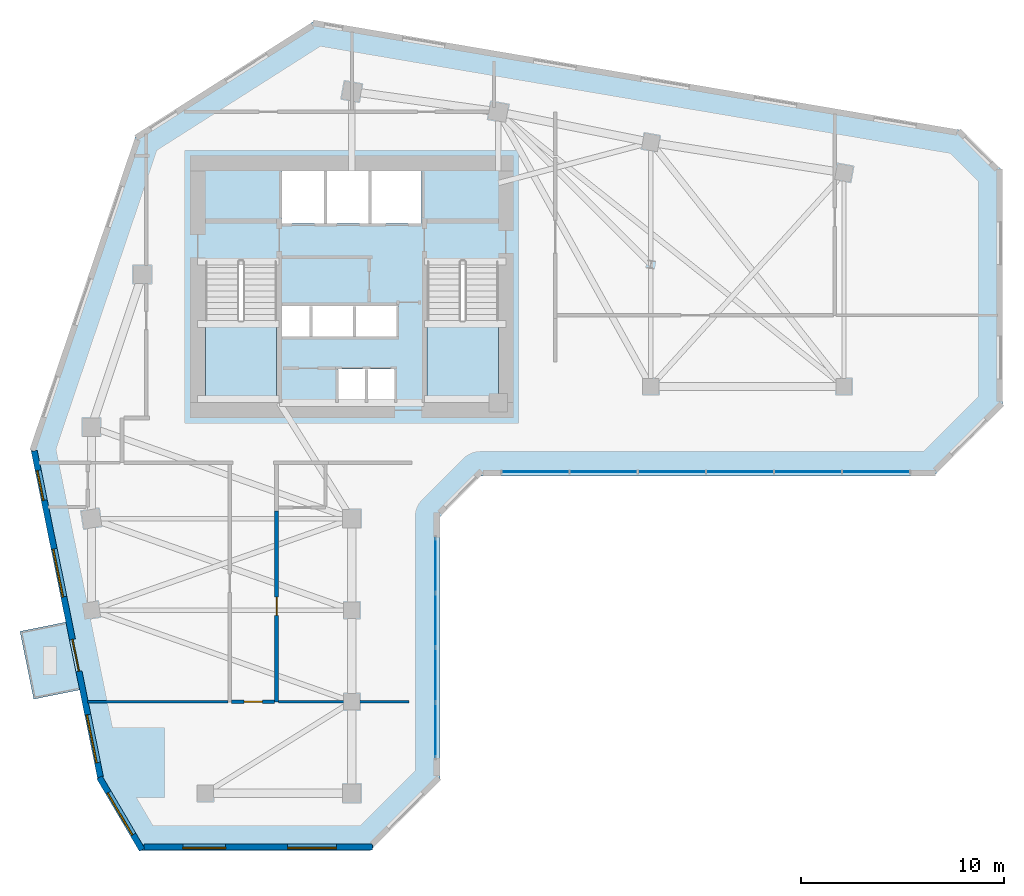
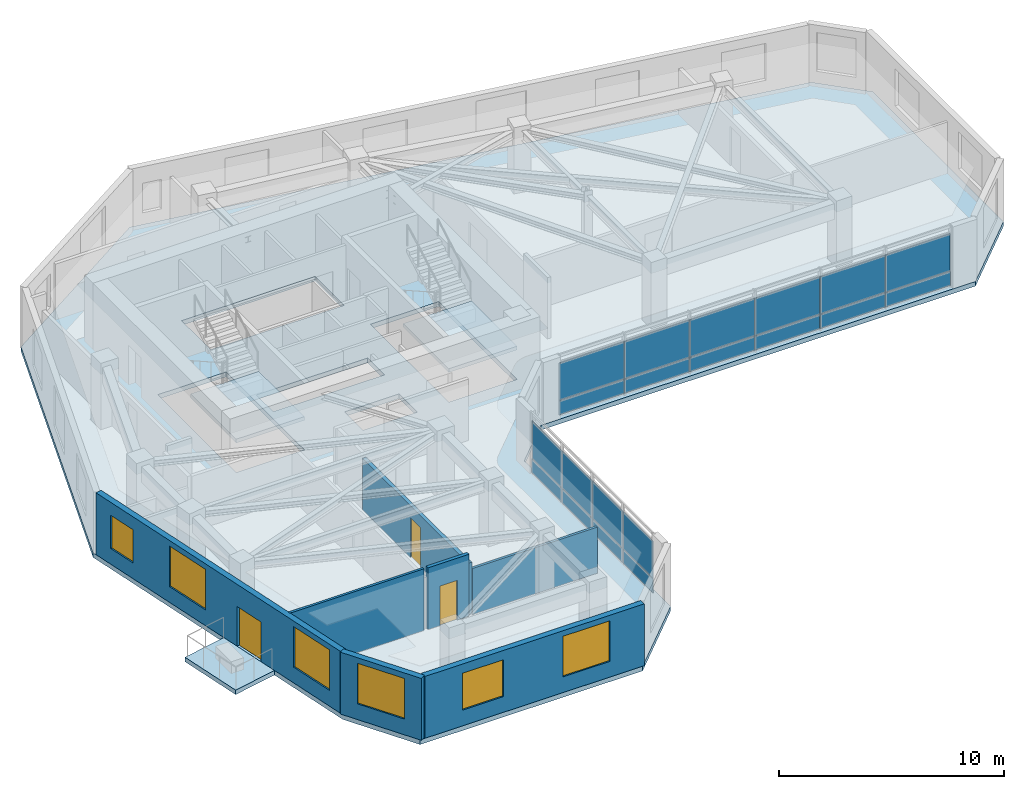
# One storey, part 4 of 10: 20 plates, 7 walls, 6 windows, 4 slabs, 3 doors, 9 openings, 4 elements without a shape of their own.
"""IFC4 building model written with IfcOpenShell, lengths in metres."""

import ifcopenshell
import ifcopenshell.guid

model = None  # the IFC model being written
_history = None  # IfcOwnerHistory: only IFC2X3 demands one
_inside = {}  # id of a spatial element -> (the spatial element, [elements in it])
_under = {}  # id of a project, library or spatial element -> (it, [spatial elements below it])
_declared = {}  # id of a project -> (the project, [libraries it declares])
_typed = {}  # id of a type object -> (the type object, [elements of that type])
_made_of = {}  # id of a material, layer set ... -> (it, [elements and type objects made of it])


def new_model(schema):
    """Start an empty IFC model of exactly this schema.

    Asked for "IFC4X3", IfcOpenShell would pick the latest addendum, in which some entities
    have other attributes; the version numbers below select the first issue.
    IFC2X3 requires an IfcOwnerHistory on every rooted entity: one is made here for all.
    """
    global model, _history
    if schema == "IFC4X3":
        model = ifcopenshell.file(schema_version=(4, 3, 0, 0))
    else:
        model = ifcopenshell.file(schema=schema)
    _inside.clear()
    _under.clear()
    _declared.clear()
    _typed.clear()
    _made_of.clear()
    _history = None
    if model.schema == "IFC2X3":
        org = make("IfcOrganization", Name="unknown")
        user = make(
            "IfcPersonAndOrganization",
            ThePerson=make("IfcPerson", FamilyName="unknown"),
            TheOrganization=org,
        )
        app = make(
            "IfcApplication",
            ApplicationDeveloper=org,
            Version="unknown",
            ApplicationFullName="unknown",
            ApplicationIdentifier="unknown",
        )
        _history = make(
            "IfcOwnerHistory",
            OwningUser=user,
            OwningApplication=app,
            ChangeAction="ADDED",
            CreationDate=0,
        )
    return model


def make(cls, **values):
    """One entity of the class cls with the attributes given. An attribute that is None is left unset."""
    return model.create_entity(
        cls, **{name: value for name, value in values.items() if value is not None}
    )


def rooted(cls, **values):
    """An entity with a GlobalId (a new one), such as an element, a storey or a relation."""
    return make(cls, GlobalId=ifcopenshell.guid.new(), OwnerHistory=_history, **values)


def si_unit(unit_type, name, prefix=None):
    """IfcSIUnit, for example si_unit("LENGTHUNIT", "METRE", prefix="MILLI")."""
    return make("IfcSIUnit", UnitType=unit_type, Prefix=prefix, Name=name)


def assignment(units):
    """IfcUnitAssignment: the units of a project."""
    return None if units is None else make("IfcUnitAssignment", Units=units)


def point(xyz):
    """IfcCartesianPoint."""
    return None if xyz is None else make("IfcCartesianPoint", Coordinates=xyz)


def direction(xyz):
    """IfcDirection."""
    return None if xyz is None else make("IfcDirection", DirectionRatios=xyz)


def frame(location, z_axis=None, x_axis=None):
    """IfcAxis2Placement3D, a coordinate frame: its origin and axes. An axis left out is left unset."""
    return make(
        "IfcAxis2Placement3D",
        Location=point(location),
        Axis=direction(z_axis),
        RefDirection=direction(x_axis),
    )


def frame_2d(location, x_axis=None):
    """IfcAxis2Placement2D, a coordinate frame in the plane: its origin and x axis."""
    return make(
        "IfcAxis2Placement2D", Location=point(location), RefDirection=direction(x_axis)
    )


def origin():
    """The frame at (0, 0, 0) with its axes left unset."""
    return frame((0.0, 0.0, 0.0))


def place(relative_to, where):
    """IfcLocalPlacement: puts the frame where relative to a parent placement (None: the world)."""
    return make(
        "IfcLocalPlacement", PlacementRelTo=relative_to, RelativePlacement=where
    )


def context(
    kind, dimensions, precision=None, world=None, true_north=None, identifier=None
):
    """IfcGeometricRepresentationContext, for example the 3D "Model" context."""
    return make(
        "IfcGeometricRepresentationContext",
        ContextIdentifier=identifier,
        ContextType=kind,
        CoordinateSpaceDimension=dimensions,
        Precision=precision,
        WorldCoordinateSystem=world,
        TrueNorth=true_north,
    )


def subcontext(parent, identifier, kind, view, scale=None):
    """IfcGeometricRepresentationSubContext, for example "Body" below "Model"."""
    return make(
        "IfcGeometricRepresentationSubContext",
        ContextIdentifier=identifier,
        ContextType=kind,
        ParentContext=parent,
        TargetScale=scale,
        TargetView=view,
    )


def project(units=None, contexts=None):
    """IfcProject with its units and contexts."""
    return rooted(
        "IfcProject",
        Name="project",
        RepresentationContexts=contexts,
        UnitsInContext=assignment(units),
    )


def spatial(cls, under=None, at=None, **own):
    """A site, building, storey or space (cls), placed at a placement, below another one or the project."""
    s = rooted(cls, ObjectPlacement=at, **own)
    if under is not None:
        _under.setdefault(under.id(), (under, []))[1].append(s)
    return s


def polyline(points):
    """IfcPolyline through the points."""
    return make("IfcPolyline", Points=[point(p) for p in points])


def profile(cls, at=None, kind="AREA", **sizes):
    """A parametric profile (cls). Its sizes go by their IFC names, for example OverallWidth=200.0."""
    return make(cls, ProfileType=kind, Position=at, **sizes)


def rectangle(**sizes):
    """IfcRectangleProfileDef."""
    return profile("IfcRectangleProfileDef", **sizes)


def outline(outer, holes=None, kind="AREA"):
    """IfcArbitraryClosedProfileDef: a profile drawn as a closed curve; with holes, ...WithVoids."""
    if holes is None:
        return make("IfcArbitraryClosedProfileDef", ProfileType=kind, OuterCurve=outer)
    return make(
        "IfcArbitraryProfileDefWithVoids",
        ProfileType=kind,
        OuterCurve=outer,
        InnerCurves=holes,
    )


def extrude(swept, where, along, depth):
    """IfcExtrudedAreaSolid: the profile swept, set in the frame where, extruded along a direction by depth."""
    return make(
        "IfcExtrudedAreaSolid",
        SweptArea=swept,
        Position=where,
        ExtrudedDirection=direction(along),
        Depth=depth,
    )


def shape(context_of_items, identifier, shape_type, items):
    """IfcShapeRepresentation: the items that make up one representation, for example the "Body"."""
    return make(
        "IfcShapeRepresentation",
        ContextOfItems=context_of_items,
        RepresentationIdentifier=identifier,
        RepresentationType=shape_type,
        Items=items,
    )


def source(mapping_origin, context_of_items, identifier, shape_type, items):
    """IfcRepresentationMap: a shape defined once, which mapped items show again and again."""
    return make(
        "IfcRepresentationMap",
        MappingOrigin=mapping_origin,
        MappedRepresentation=shape(context_of_items, identifier, shape_type, items),
    )


def transform(
    local_origin,
    x_axis=None,
    y_axis=None,
    z_axis=None,
    scale=None,
    scale2=None,
    scale3=None,
    uniform=True,
):
    """IfcCartesianTransformationOperator3D, or its non-uniform kind. x_axis, y_axis, z_axis: its Axis1, 2, 3."""
    if uniform:
        return make(
            "IfcCartesianTransformationOperator3D",
            Axis1=direction(x_axis),
            Axis2=direction(y_axis),
            LocalOrigin=point(local_origin),
            Scale=scale,
            Axis3=direction(z_axis),
        )
    return make(
        "IfcCartesianTransformationOperator3DnonUniform",
        Axis1=direction(x_axis),
        Axis2=direction(y_axis),
        LocalOrigin=point(local_origin),
        Scale=scale,
        Axis3=direction(z_axis),
        Scale2=scale2,
        Scale3=scale3,
    )


def mapped(mapping_source, mapping_target):
    """IfcMappedItem: shows the shape of a source again, moved by a transform."""
    return make(
        "IfcMappedItem", MappingSource=mapping_source, MappingTarget=mapping_target
    )


def material(Name=None, Category=None):
    """IfcMaterial."""
    return make("IfcMaterial", Name=Name, Category=Category)


def layer(
    of_material, thickness, ventilated=None, Name=None, Category=None, Priority=None
):
    """IfcMaterialLayer: one layer of a wall or slab, of a material (None: an air gap)."""
    return make(
        "IfcMaterialLayer",
        Material=of_material,
        LayerThickness=thickness,
        IsVentilated=ventilated,
        Name=Name,
        Category=Category,
        Priority=Priority,
    )


def layer_set(layers, Name=None):
    """IfcMaterialLayerSet."""
    return make("IfcMaterialLayerSet", MaterialLayers=layers, LayerSetName=Name)


def made_of(thing, what):
    """Note that an element or type object is made of a material, layer set ...; save() writes the relation."""
    if what is not None:
        _made_of.setdefault(what.id(), (what, []))[1].append(thing)
    return thing


def type_object(cls, material=None, **own):
    """A type object (cls), such as IfcWallType, which elements share."""
    return made_of(rooted(cls, **own), material)


def element(
    cls,
    number,
    at=None,
    inside=None,
    cuts=None,
    type_object=None,
    material=None,
    context=None,
    identifier="Body",
    shape_type=None,
    held_by="IfcProductDefinitionShape",
    body=None,
    shapes=None,
    **own,
):
    """One element of the class cls, such as IfcWall. Its Tag is "e" and its number.

    at: its placement. inside: the storey or other place that contains it. cuts: it is an
    opening in that element (IfcRelVoidsElement). A single representation is given by context,
    identifier, shape_type and body (its items); several are given by shapes. held_by: the class
    of the entity that holds the representations. save() writes the other relations.
    """
    e = rooted(cls, Tag="e%d" % number, ObjectPlacement=at, **own)
    if body is not None:
        shapes = [shape(context, identifier, shape_type, body)]
    if shapes is not None:
        e.Representation = make(held_by, Representations=shapes)
    if inside is not None:
        _inside.setdefault(inside.id(), (inside, []))[1].append(e)
    if cuts is not None:
        rooted(
            "IfcRelVoidsElement", RelatingBuildingElement=cuts, RelatedOpeningElement=e
        )
    if type_object is not None:
        _typed.setdefault(type_object.id(), (type_object, []))[1].append(e)
    return made_of(e, material)


def fill(opening, filler):
    """IfcRelFillsElement: the door or window that sits in an opening."""
    return rooted(
        "IfcRelFillsElement",
        RelatingOpeningElement=opening,
        RelatedBuildingElement=filler,
    )


def aggregate(whole, parts):
    """IfcRelAggregates: a whole, such as a stair, and the parts it consists of."""
    return rooted("IfcRelAggregates", RelatingObject=whole, RelatedObjects=parts)


def save(model, path):
    """Write the relations noted so far, then the file.

    IfcRelAggregates (storeys below a building ...), IfcRelContainedInSpatialStructure (elements
    in a storey), IfcRelDefinesByType, IfcRelAssociatesMaterial and IfcRelDeclares: one each for
    every whole, place, type object, material and project.
    """
    for whole, parts in _under.values():
        aggregate(whole, parts)
    for where, things in _inside.values():
        rooted(
            "IfcRelContainedInSpatialStructure",
            RelatedElements=things,
            RelatingStructure=where,
        )
    for kind, things in _typed.values():
        rooted("IfcRelDefinesByType", RelatedObjects=things, RelatingType=kind)
    for what, things in _made_of.values():
        rooted("IfcRelAssociatesMaterial", RelatedObjects=things, RelatingMaterial=what)
    for by, libraries in _declared.values():
        rooted("IfcRelDeclares", RelatingContext=by, RelatedDefinitions=libraries)
    model.write(path)


model = new_model("IFC4")

# Units and contexts
model_context = context("Model", 3, precision=1e-05, world=origin(), true_north=direction((0.0, 1.0)))
body_context = subcontext(model_context, "Body", "Model", "MODEL_VIEW")
ifc_project = project(units=[si_unit("LENGTHUNIT", "METRE"), si_unit("AREAUNIT", "SQUARE_METRE"), si_unit("VOLUMEUNIT", "CUBIC_METRE"), si_unit("PLANEANGLEUNIT", "RADIAN"), si_unit("MASSUNIT", "GRAM", prefix="KILO")], contexts=[model_context])

# Site, building, storey
site_placement = place(None, origin())
site = spatial("IfcSite", under=ifc_project, at=site_placement, CompositionType="ELEMENT")
building_placement = place(site_placement, origin())
building = spatial("IfcBuilding", under=site, at=building_placement, Name="Calvemar Wedge Station Tower", CompositionType="ELEMENT")
storey_placement = place(building_placement, frame((0.0, 0.0, 164.60009765625)))
storey = spatial("IfcBuildingStorey", under=building, at=storey_placement, Name="L41", CompositionType="ELEMENT", Elevation=164.60009765625)

# Curtain wall, plates
ifc_material_1 = material(Name="Anodised aluminium 6063-T6", Category="aluminium")
curtain_wall_type = type_object("IfcCurtainWallType", Name="CW2", PredefinedType="NOTDEFINED", material=ifc_material_1)
curtain_wall_1_placement = place(storey_placement, origin())
curtain_wall_1 = element("IfcCurtainWall", 1, at=curtain_wall_1_placement, inside=storey, type_object=curtain_wall_type, Name="Storey L41 CW2 Recessed Unitised Curtain Wall 4", PredefinedType="NOTDEFINED")
ifc_material_2 = material(Name="Low-E laminated insulated glass", Category="glass")
ifc_layer_1 = layer(ifc_material_2, 0.028076171875)
ifc_layer_set_1 = layer_set([ifc_layer_1], Name="Low-E laminated insulated glass")
plate_type_1 = type_object("IfcPlateType", Name="CW2-GLZ", PredefinedType="CURTAIN_PANEL", material=ifc_layer_set_1)
plate_1_placement = place(storey_placement, frame((27.91796875, 16.780029296875, 0.869873046875), z_axis=(0.0, 0.0, 1.0), x_axis=(0.0, 1.0, 0.0)))
plate_1 = element("IfcPlate", 2, at=plate_1_placement, type_object=plate_type_1, Name="CW2 vision glass panel 1", PredefinedType="CURTAIN_PANEL", context=body_context, shape_type="SweptSolid", body=[
    extrude(rectangle(XDim=2.662109375, YDim=0.028076171875, at=frame_2d((1.3310546875, 0.0))), origin(), (0.0, 0.0, 1.0), 2.010009765625),
])
plate_2_placement = place(storey_placement, frame((27.91796875, 19.47802734375, 0.869873046875), z_axis=(0.0, 0.0, 1.0), x_axis=(0.0, 1.0, 0.0)))
plate_2 = element("IfcPlate", 3, at=plate_2_placement, type_object=plate_type_1, Name="CW2 vision glass panel 2", PredefinedType="CURTAIN_PANEL", context=body_context, shape_type="SweptSolid", body=[
    extrude(rectangle(XDim=2.662109375, YDim=0.028076171875, at=frame_2d((1.3310546875, 0.0))), origin(), (0.0, 0.0, 1.0), 2.010009765625),
])
plate_3_placement = place(storey_placement, frame((27.91796875, 22.176025390625, 0.869873046875), z_axis=(0.0, 0.0, 1.0), x_axis=(0.0, 1.0, 0.0)))
plate_3 = element("IfcPlate", 4, at=plate_3_placement, type_object=plate_type_1, Name="CW2 vision glass panel 3", PredefinedType="CURTAIN_PANEL", context=body_context, shape_type="SweptSolid", body=[
    extrude(rectangle(XDim=2.662109375, YDim=0.028076171875, at=frame_2d((1.3310546875, 0.0))), origin(), (0.0, 0.0, 1.0), 2.010009765625),
])
plate_4_placement = place(storey_placement, frame((27.91796875, 24.8740234375, 0.869873046875), z_axis=(0.0, 0.0, 1.0), x_axis=(0.0, 1.0, 0.0)))
plate_4 = element("IfcPlate", 5, at=plate_4_placement, type_object=plate_type_1, Name="CW2 vision glass panel 4", PredefinedType="CURTAIN_PANEL", context=body_context, shape_type="SweptSolid", body=[
    extrude(rectangle(XDim=2.662109375, YDim=0.028076171875, at=frame_2d((1.3310546875, 0.0))), origin(), (0.0, 0.0, 1.0), 2.010009765625),
])

curtain_wall_2_placement = place(storey_placement, origin())
curtain_wall_2 = element("IfcCurtainWall", 6, at=curtain_wall_2_placement, inside=storey, type_object=curtain_wall_type, Name="Storey L41 CW2 Recessed Unitised Curtain Wall 6", PredefinedType="NOTDEFINED")
plate_5_placement = place(storey_placement, frame((31.183837890625, 30.802001953125, 0.869873046875), z_axis=(0.0, 0.0, 1.0), x_axis=(1.0, 0.0, 0.0)))
plate_5 = element("IfcPlate", 7, at=plate_5_placement, type_object=plate_type_1, Name="CW2 vision glass panel 1", PredefinedType="CURTAIN_PANEL", context=body_context, shape_type="SweptSolid", body=[
    extrude(rectangle(XDim=3.309326171875, YDim=0.028076171875, at=frame_2d((1.65478515625, 0.0))), origin(), (0.0, 0.0, 1.0), 2.010009765625),
])
plate_6_placement = place(storey_placement, frame((34.529296875, 30.802001953125, 0.869873046875), z_axis=(0.0, 0.0, 1.0), x_axis=(1.0, 0.0, 0.0)))
plate_6 = element("IfcPlate", 8, at=plate_6_placement, type_object=plate_type_1, Name="CW2 vision glass panel 2", PredefinedType="CURTAIN_PANEL", context=body_context, shape_type="SweptSolid", body=[
    extrude(rectangle(XDim=3.309326171875, YDim=0.028076171875, at=frame_2d((1.65478515625, 0.0))), origin(), (0.0, 0.0, 1.0), 2.010009765625),
])
plate_7_placement = place(storey_placement, frame((37.87451171875, 30.802001953125, 0.869873046875), z_axis=(0.0, 0.0, 1.0), x_axis=(1.0, 0.0, 0.0)))
plate_7 = element("IfcPlate", 9, at=plate_7_placement, type_object=plate_type_1, Name="CW2 vision glass panel 3", PredefinedType="CURTAIN_PANEL", context=body_context, shape_type="SweptSolid", body=[
    extrude(rectangle(XDim=3.309326171875, YDim=0.028076171875, at=frame_2d((1.65478515625, 0.0))), origin(), (0.0, 0.0, 1.0), 2.010009765625),
])
plate_8_placement = place(storey_placement, frame((41.219970703125, 30.802001953125, 0.869873046875), z_axis=(0.0, 0.0, 1.0), x_axis=(1.0, 0.0, 0.0)))
plate_8 = element("IfcPlate", 10, at=plate_8_placement, type_object=plate_type_1, Name="CW2 vision glass panel 4", PredefinedType="CURTAIN_PANEL", context=body_context, shape_type="SweptSolid", body=[
    extrude(rectangle(XDim=3.309326171875, YDim=0.028076171875, at=frame_2d((1.65478515625, 0.0))), origin(), (0.0, 0.0, 1.0), 2.010009765625),
])
plate_9_placement = place(storey_placement, frame((44.565185546875, 30.802001953125, 0.869873046875), z_axis=(0.0, 0.0, 1.0), x_axis=(1.0, 0.0, 0.0)))
plate_9 = element("IfcPlate", 11, at=plate_9_placement, type_object=plate_type_1, Name="CW2 vision glass panel 5", PredefinedType="CURTAIN_PANEL", context=body_context, shape_type="SweptSolid", body=[
    extrude(rectangle(XDim=3.309326171875, YDim=0.028076171875, at=frame_2d((1.65478515625, 0.0))), origin(), (0.0, 0.0, 1.0), 2.010009765625),
])
plate_10_placement = place(storey_placement, frame((47.91064453125, 30.802001953125, 0.869873046875), z_axis=(0.0, 0.0, 1.0), x_axis=(1.0, 0.0, 0.0)))
plate_10 = element("IfcPlate", 12, at=plate_10_placement, type_object=plate_type_1, Name="CW2 vision glass panel 6", PredefinedType="CURTAIN_PANEL", context=body_context, shape_type="SweptSolid", body=[
    extrude(rectangle(XDim=3.309326171875, YDim=0.028076171875, at=frame_2d((1.65478515625, 0.0))), origin(), (0.0, 0.0, 1.0), 2.010009765625),
])

# Plate
ifc_material_3 = material(Name="Oxidized bronze aluminium spandrel panel 5005-H24", Category="aluminium")
ifc_layer_2 = layer(ifc_material_3, 0.0400390625)
ifc_layer_set_2 = layer_set([ifc_layer_2], Name="Oxidized bronze aluminium spandrel panel 5005-H24")
plate_type_2 = type_object("IfcPlateType", Name="CW2-SPD", PredefinedType="SHEET", material=ifc_layer_set_2)
plate_11_placement = place(storey_placement, frame((27.91796875, 16.780029296875, 0.079833984375), z_axis=(0.0, 0.0, 1.0), x_axis=(0.0, 1.0, 0.0)))
plate_11 = element("IfcPlate", 13, at=plate_11_placement, type_object=plate_type_2, Name="CW2 bronze spandrel panel 1", PredefinedType="SHEET", context=body_context, shape_type="SweptSolid", body=[
    extrude(rectangle(XDim=2.662109375, YDim=0.0400390625, at=frame_2d((1.3310546875, 0.0))), origin(), (0.0, 0.0, 1.0), 0.75),
])

plate_12_placement = place(storey_placement, frame((27.91796875, 19.47802734375, 0.079833984375), z_axis=(0.0, 0.0, 1.0), x_axis=(0.0, 1.0, 0.0)))
plate_12 = element("IfcPlate", 14, at=plate_12_placement, type_object=plate_type_2, Name="CW2 bronze spandrel panel 2", PredefinedType="SHEET", context=body_context, shape_type="SweptSolid", body=[
    extrude(rectangle(XDim=2.662109375, YDim=0.0400390625, at=frame_2d((1.3310546875, 0.0))), origin(), (0.0, 0.0, 1.0), 0.75),
])

plate_13_placement = place(storey_placement, frame((27.91796875, 22.176025390625, 0.079833984375), z_axis=(0.0, 0.0, 1.0), x_axis=(0.0, 1.0, 0.0)))
plate_13 = element("IfcPlate", 15, at=plate_13_placement, type_object=plate_type_2, Name="CW2 bronze spandrel panel 3", PredefinedType="SHEET", context=body_context, shape_type="SweptSolid", body=[
    extrude(rectangle(XDim=2.662109375, YDim=0.0400390625, at=frame_2d((1.3310546875, 0.0))), origin(), (0.0, 0.0, 1.0), 0.75),
])

plate_14_placement = place(storey_placement, frame((27.91796875, 24.8740234375, 0.079833984375), z_axis=(0.0, 0.0, 1.0), x_axis=(0.0, 1.0, 0.0)))
plate_14 = element("IfcPlate", 16, at=plate_14_placement, type_object=plate_type_2, Name="CW2 bronze spandrel panel 4", PredefinedType="SHEET", context=body_context, shape_type="SweptSolid", body=[
    extrude(rectangle(XDim=2.662109375, YDim=0.0400390625, at=frame_2d((1.3310546875, 0.0))), origin(), (0.0, 0.0, 1.0), 0.75),
])

aggregate(curtain_wall_1, [plate_11, plate_1, plate_12, plate_2, plate_13, plate_3, plate_14, plate_4])

plate_15_placement = place(storey_placement, frame((31.183837890625, 30.802001953125, 0.079833984375), z_axis=(0.0, 0.0, 1.0), x_axis=(1.0, 0.0, 0.0)))
plate_15 = element("IfcPlate", 17, at=plate_15_placement, type_object=plate_type_2, Name="CW2 bronze spandrel panel 1", PredefinedType="SHEET", context=body_context, shape_type="SweptSolid", body=[
    extrude(rectangle(XDim=3.309326171875, YDim=0.0400390625, at=frame_2d((1.65478515625, 0.0))), origin(), (0.0, 0.0, 1.0), 0.75),
])

plate_16_placement = place(storey_placement, frame((34.529296875, 30.802001953125, 0.079833984375), z_axis=(0.0, 0.0, 1.0), x_axis=(1.0, 0.0, 0.0)))
plate_16 = element("IfcPlate", 18, at=plate_16_placement, type_object=plate_type_2, Name="CW2 bronze spandrel panel 2", PredefinedType="SHEET", context=body_context, shape_type="SweptSolid", body=[
    extrude(rectangle(XDim=3.309326171875, YDim=0.0400390625, at=frame_2d((1.65478515625, 0.0))), origin(), (0.0, 0.0, 1.0), 0.75),
])

plate_17_placement = place(storey_placement, frame((37.87451171875, 30.802001953125, 0.079833984375), z_axis=(0.0, 0.0, 1.0), x_axis=(1.0, 0.0, 0.0)))
plate_17 = element("IfcPlate", 19, at=plate_17_placement, type_object=plate_type_2, Name="CW2 bronze spandrel panel 3", PredefinedType="SHEET", context=body_context, shape_type="SweptSolid", body=[
    extrude(rectangle(XDim=3.309326171875, YDim=0.0400390625, at=frame_2d((1.65478515625, 0.0))), origin(), (0.0, 0.0, 1.0), 0.75),
])

plate_18_placement = place(storey_placement, frame((41.219970703125, 30.802001953125, 0.079833984375), z_axis=(0.0, 0.0, 1.0), x_axis=(1.0, 0.0, 0.0)))
plate_18 = element("IfcPlate", 20, at=plate_18_placement, type_object=plate_type_2, Name="CW2 bronze spandrel panel 4", PredefinedType="SHEET", context=body_context, shape_type="SweptSolid", body=[
    extrude(rectangle(XDim=3.309326171875, YDim=0.0400390625, at=frame_2d((1.65478515625, 0.0))), origin(), (0.0, 0.0, 1.0), 0.75),
])

plate_19_placement = place(storey_placement, frame((44.565185546875, 30.802001953125, 0.079833984375), z_axis=(0.0, 0.0, 1.0), x_axis=(1.0, 0.0, 0.0)))
plate_19 = element("IfcPlate", 21, at=plate_19_placement, type_object=plate_type_2, Name="CW2 bronze spandrel panel 5", PredefinedType="SHEET", context=body_context, shape_type="SweptSolid", body=[
    extrude(rectangle(XDim=3.309326171875, YDim=0.0400390625, at=frame_2d((1.65478515625, 0.0))), origin(), (0.0, 0.0, 1.0), 0.75),
])

plate_20_placement = place(storey_placement, frame((47.91064453125, 30.802001953125, 0.079833984375), z_axis=(0.0, 0.0, 1.0), x_axis=(1.0, 0.0, 0.0)))
plate_20 = element("IfcPlate", 22, at=plate_20_placement, type_object=plate_type_2, Name="CW2 bronze spandrel panel 6", PredefinedType="SHEET", context=body_context, shape_type="SweptSolid", body=[
    extrude(rectangle(XDim=3.309326171875, YDim=0.0400390625, at=frame_2d((1.65478515625, 0.0))), origin(), (0.0, 0.0, 1.0), 0.75),
])

aggregate(curtain_wall_2, [plate_15, plate_5, plate_16, plate_6, plate_17, plate_7, plate_18, plate_8, plate_19, plate_9, plate_20, plate_10])

# Stair, slab
ifc_material_4 = material(Name="Concrete C45", Category="concrete")
stair_type = type_object("IfcStairType", Name="ST-TYPE-3600", PredefinedType="HALF_TURN_STAIR", material=ifc_material_4)
stair_1_placement = place(storey_placement, origin())
stair_1 = element("IfcStair", 23, at=stair_1_placement, inside=storey, type_object=stair_type, Name="L41 Pressurized Core Exit Stair ST-C1", PredefinedType="HALF_TURN_STAIR")
ifc_layer_3 = layer(ifc_material_4, 0.199951171875)
ifc_layer_set_3 = layer_set([ifc_layer_3], Name="Concrete C45")
slab_type_1 = type_object("IfcSlabType", Name="SL-STAIR-LND-200", PredefinedType="LANDING", material=ifc_layer_set_3)
slab_1_placement = place(storey_placement, frame((0.0, 0.0, 1.599853515625)))
slab_1 = element("IfcSlab", 24, at=slab_1_placement, type_object=slab_type_1, Name="ST-C1 landing 1", PredefinedType="LANDING", context=body_context, shape_type="SweptSolid", body=[
    extrude(outline(polyline([(16.60009765625, 38.25), (16.60009765625, 34.199951171875), (20.10009765625, 34.199951171875), (20.10009765625, 38.25), (16.60009765625, 38.25)])), origin(), (0.0, 0.0, 1.0), 0.199951171875),
])
aggregate(stair_1, [slab_1])

stair_2_placement = place(storey_placement, origin())
stair_2 = element("IfcStair", 25, at=stair_2_placement, inside=storey, type_object=stair_type, Name="L41 Pressurized Core Exit Stair ST-C2", PredefinedType="HALF_TURN_STAIR")
slab_2_placement = place(storey_placement, frame((0.0, 0.0, 1.599853515625)))
slab_2 = element("IfcSlab", 26, at=slab_2_placement, type_object=slab_type_1, Name="ST-C2 landing 1", PredefinedType="LANDING", context=body_context, shape_type="SweptSolid", body=[
    extrude(outline(polyline([(27.5, 38.25), (27.5, 34.199951171875), (31.0, 34.199951171875), (31.0, 38.25), (27.5, 38.25)])), origin(), (0.0, 0.0, 1.0), 0.199951171875),
])
aggregate(stair_2, [slab_2])

# Slabs
ifc_layer_4 = layer(ifc_material_4, 0.239990234375)
ifc_layer_set_4 = layer_set([ifc_layer_4], Name="Concrete C45")
slab_type_2 = type_object("IfcSlabType", Name="SL-TERR-240", PredefinedType="FLOOR", material=ifc_layer_set_4)
slab_3_placement = place(storey_placement, frame((0.0, 0.0, -0.239990234375)))
element("IfcSlab", 27, at=slab_3_placement, inside=storey, type_object=slab_type_2, Name="Storey L41 Planted Spiral Terrace Slab", PredefinedType="FLOOR", context=body_context, shape_type="SweptSolid", body=[
    extrude(outline(polyline([(9.741943359375, 23.416015625), (7.488037109375, 22.958984375), (8.1640625, 19.626953125), (10.41796875, 20.083984375), (9.741943359375, 23.416015625)])), origin(), (0.0, 0.0, 1.0), 0.239990234375),
])
ifc_material_5 = material(Name="Concrete C50", Category="concrete")
ifc_layer_5 = layer(ifc_material_5, 0.25)
ifc_layer_set_5 = layer_set([ifc_layer_5], Name="Concrete C50")
slab_type_3 = type_object("IfcSlabType", Name="SL-TYP-250", PredefinedType="FLOOR", material=ifc_layer_set_5)
slab_4_placement = place(storey_placement, frame((0.0, 0.0, -0.25)))
element("IfcSlab", 28, at=slab_4_placement, inside=storey, type_object=slab_type_3, Name="Storey L41 Structural Floor Slab", PredefinedType="FLOOR", context=body_context, shape_type="SweptSolid", body=[
    extrude(outline(polyline([(8.0, 32.0), (11.327880859375, 15.60009765625), (13.327880859375, 12.199951171875), (24.72802734375, 12.199951171875), (28.1279296875, 15.60009765625), (28.1279296875, 28.592041015625), (30.1279296875, 30.592041015625), (52.39990234375, 30.592041015625), (55.800048828125, 33.991943359375), (55.800048828125, 45.592041015625), (53.800048828125, 47.592041015625), (22.0, 53.0), (13.199951171875, 47.39990234375), (8.0, 32.0)]), holes=[polyline([(24.52001953125, 35.85009765625), (24.510009765625, 35.85009765625), (23.1201171875, 35.85009765625), (23.1201171875, 34.219970703125), (24.510009765625, 34.219970703125), (24.52001953125, 34.219970703125), (25.909912109375, 34.219970703125), (25.909912109375, 35.85009765625), (24.52001953125, 35.85009765625)]), polyline([(16.60009765625, 34.199951171875), (20.10009765625, 34.199951171875), (20.10009765625, 41.14990234375), (16.60009765625, 41.14990234375), (16.60009765625, 34.199951171875)]), polyline([(27.5, 34.199951171875), (31.0, 34.199951171875), (31.0, 41.14990234375), (27.5, 41.14990234375), (27.5, 34.199951171875)]), polyline([(21.800048828125, 38.949951171875), (21.7900390625, 38.949951171875), (20.3798828125, 38.949951171875), (20.3798828125, 37.449951171875), (21.7900390625, 37.449951171875), (21.800048828125, 37.449951171875), (23.929931640625, 37.449951171875), (23.93994140625, 37.449951171875), (26.080078125, 37.449951171875), (26.080078125, 38.949951171875), (23.93994140625, 38.949951171875), (23.929931640625, 38.949951171875), (21.800048828125, 38.949951171875)]), polyline([(27.219970703125, 43.0), (27.219970703125, 45.580078125), (20.3798828125, 45.580078125), (20.3798828125, 43.0), (27.219970703125, 43.0)])]), origin(), (0.0, 0.0, 1.0), 0.25),
])

# Wall, opening, door
ifc_material_6 = material(Name="Double-stud fire-rated corridor partition")
ifc_layer_6 = layer(ifc_material_6, 0.179931640625)
ifc_layer_set_6 = layer_set([ifc_layer_6], Name="Double-stud fire-rated corridor partition")
wall_type_1 = type_object("IfcWallType", Name="W-CORR-180", PredefinedType="PARTITIONING", material=ifc_layer_set_6)
wall_1_placement = place(storey_placement, frame((20.10009765625, 28.887939453125, 0.0), z_axis=(0.0, 0.0, 1.0), x_axis=(0.0, -1.0, 0.0)))
wall_1 = element("IfcWall", 29, at=wall_1_placement, inside=storey, type_object=wall_type_1, Name="Storey L41 Interior Partition WL-L41-025", PredefinedType="PARTITIONING", context=body_context, shape_type="SweptSolid", body=[
    extrude(rectangle(XDim=9.387939453125, YDim=0.179931640625, at=frame_2d((4.69384765625, 0.0))), origin(), (0.0, 0.0, 1.0), 2.802978515625),
])
shared_shape_1 = source(origin(), body_context, "Body", "SweptSolid", [
    extrude(rectangle(XDim=0.89990234375, YDim=2.14990234375, at=frame_2d((0.449951171875, 1.074951171875))), frame((0.0, 0.10009765625, 0.0), z_axis=(0.0, -1.0, 0.0), x_axis=(1.0, 0.0, 0.0)), (0.0, 0.0, 1.0), 0.199951171875),
])
opening_1_placement = place(wall_1_placement, frame((4.243896484375, 0.0, 0.0)))
opening_1 = element("IfcOpeningElement", 30, at=opening_1_placement, cuts=wall_1, Name="Opening FD-60", PredefinedType="OPENING", context=body_context, shape_type="MappedRepresentation", body=[
    mapped(shared_shape_1, transform((0.0, 0.0, 0.0), scale=1.0)),
])
ifc_material_7 = material(Name="Fire-rated acoustic timber-core entrance door EI 60", Category="wood")
door_type_1 = type_object("IfcDoorType", Name="DR-FD60-900", OperationType="NOTDEFINED", PredefinedType="DOOR", material=ifc_material_7)
shared_shape_2 = source(origin(), body_context, "Body", "SweptSolid", [
    extrude(rectangle(XDim=0.89990234375, YDim=2.14990234375, at=frame_2d((0.449951171875, 1.074951171875))), frame((0.0, 0.02490234375, 0.0), z_axis=(0.0, -1.0, 0.0), x_axis=(1.0, 0.0, 0.0)), (0.0, 0.0, 1.0), 0.050048828125),
])
door_1_placement = place(opening_1_placement, origin())
door_1 = element("IfcDoor", 31, at=door_1_placement, inside=storey, type_object=door_type_1, Name="L41 Hotel Suite Door", OperationType="SINGLE_SWING_LEFT", OverallHeight=2.14990234375, OverallWidth=0.89990234375, PredefinedType="DOOR", context=body_context, shape_type="MappedRepresentation", body=[
    mapped(shared_shape_2, transform((0.0, 0.0, 0.0), scale=1.0)),
])
fill(opening_1, door_1)

wall_2_placement = place(storey_placement, frame((20.006103515625, 19.5, 0.0), z_axis=(0.0, 0.0, 1.0), x_axis=(-1.0, 0.0, 0.0)))
wall_2 = element("IfcWall", 32, at=wall_2_placement, inside=storey, type_object=wall_type_1, Name="Storey L41 Interior Partition WL-L41-026", PredefinedType="PARTITIONING", context=body_context, shape_type="SweptSolid", body=[
    extrude(rectangle(XDim=2.112060546875, YDim=0.179931640625, at=frame_2d((1.05615234375, 0.0))), origin(), (0.0, 0.0, 1.0), 3.349853515625),
])
opening_2_placement = place(wall_2_placement, frame((0.60595703125, 0.0, 0.0)))
opening_2 = element("IfcOpeningElement", 33, at=opening_2_placement, cuts=wall_2, Name="Opening D-01", PredefinedType="OPENING", context=body_context, shape_type="MappedRepresentation", body=[
    mapped(shared_shape_1, transform((0.0, 0.0, 0.0), scale=1.0)),
])
ifc_material_8 = material(Name="Architectural hardwood acoustic swing door", Category="wood")
door_type_2 = type_object("IfcDoorType", Name="DR-INT-900", OperationType="NOTDEFINED", PredefinedType="DOOR", material=ifc_material_8)
shared_shape_3 = source(origin(), body_context, "Body", "SweptSolid", [
    extrude(rectangle(XDim=0.89990234375, YDim=2.14990234375, at=frame_2d((0.449951171875, 1.074951171875))), frame((0.0, 0.02490234375, 0.0), z_axis=(0.0, -1.0, 0.0), x_axis=(1.0, 0.0, 0.0)), (0.0, 0.0, 1.0), 0.050048828125),
])
door_2_placement = place(opening_2_placement, origin())
door_2 = element("IfcDoor", 34, at=door_2_placement, inside=storey, type_object=door_type_2, Name="L41 Presidential Library Lounge Door", OperationType="SINGLE_SWING_RIGHT", OverallHeight=2.14990234375, OverallWidth=0.89990234375, PredefinedType="DOOR", context=body_context, shape_type="MappedRepresentation", body=[
    mapped(shared_shape_3, transform((0.0, 0.0, 0.0), scale=1.0)),
])
fill(opening_2, door_2)

# Wall, opening, window
ifc_material_9 = material(Name="Precast concrete C45", Category="concrete")
ifc_layer_7 = layer(ifc_material_9, 0.300048828125)
ifc_layer_set_7 = layer_set([ifc_layer_7], Name="Precast concrete C45")
wall_type_2 = type_object("IfcWallType", Name="W-EXT-GFRC-300", PredefinedType="SOLIDWALL", material=ifc_layer_set_7)
wall_3_placement = place(storey_placement, frame((11.39404296875, 15.78369140625, 0.0), z_axis=(0.0, 0.0, 1.0), x_axis=(0.50698915279, -0.861952434275, 0.0)))
wall_3 = element("IfcWall", 35, at=wall_3_placement, inside=storey, type_object=wall_type_2, Name="Storey L41 Bronze GFRC Exterior Wall 1", PredefinedType="SOLIDWALL", context=body_context, shape_type="SweptSolid", body=[
    extrude(rectangle(XDim=4.133544921875, YDim=0.300048828125, at=frame_2d((2.06689453125, 0.0))), origin(), (0.0, 0.0, 1.0), 3.349853515625),
])
shared_shape_4 = source(origin(), body_context, "Body", "SweptSolid", [
    extrude(rectangle(XDim=2.39990234375, YDim=2.199951171875, at=frame_2d((1.199951171875, 1.10009765625))), frame((0.0, 0.16015625, 0.0), z_axis=(0.0, -1.0, 0.0), x_axis=(1.0, 0.0, 0.0)), (0.0, 0.0, 1.0), 0.320068359375),
])
opening_3_placement = place(wall_3_placement, frame((0.866943359375, 0.0, 0.85009765625)))
opening_3 = element("IfcOpeningElement", 36, at=opening_3_placement, cuts=wall_3, Name="Opening W1", PredefinedType="OPENING", context=body_context, shape_type="MappedRepresentation", body=[
    mapped(shared_shape_4, transform((0.0, 0.0, 0.0), scale=1.0)),
])
window_type_1 = type_object("IfcWindowType", Name="WIN-EXT-1", PartitioningType="SINGLE_PANEL", PredefinedType="WINDOW", material=ifc_material_2)
shared_shape_5 = source(origin(), body_context, "Body", "SweptSolid", [
    extrude(rectangle(XDim=2.39990234375, YDim=2.199951171875, at=frame_2d((1.199951171875, 1.10009765625))), frame((0.0, -0.014892578125, 0.0), z_axis=(0.0, -1.0, 0.0), x_axis=(1.0, 0.0, 0.0)), (0.0, 0.0, 1.0), 0.06005859375),
])
window_1_placement = place(opening_3_placement, origin())
window_1 = element("IfcWindow", 37, at=window_1_placement, inside=storey, type_object=window_type_1, Name="Storey L41 Recessed Window 1.1", OverallHeight=2.199951171875, OverallWidth=2.39990234375, PartitioningType="SINGLE_PANEL", PredefinedType="WINDOW", context=body_context, shape_type="MappedRepresentation", body=[
    mapped(shared_shape_5, transform((0.0, 0.0, 0.0), scale=1.0)),
])
fill(opening_3, window_1)

# Wall, openings, windows
wall_4_placement = place(storey_placement, frame((13.57373046875, 12.35009765625, 0.0), z_axis=(0.0, 0.0, 1.0), x_axis=(1.0, 0.0, 0.0)))
wall_4 = element("IfcWall", 38, at=wall_4_placement, inside=storey, type_object=wall_type_2, Name="Storey L41 Bronze GFRC Exterior Wall 2", PredefinedType="SOLIDWALL", context=body_context, shape_type="SweptSolid", body=[
    extrude(rectangle(XDim=11.2421875, YDim=0.300048828125, at=frame_2d((5.62109375, 0.0))), origin(), (0.0, 0.0, 1.0), 3.349853515625),
])
shared_shape_6 = source(origin(), body_context, "Body", "SweptSolid", [
    extrude(rectangle(XDim=2.10009765625, YDim=2.0, at=frame_2d((1.050048828125, 1.0))), frame((0.0, 0.16015625, 0.0), z_axis=(0.0, -1.0, 0.0), x_axis=(1.0, 0.0, 0.0)), (0.0, 0.0, 1.0), 0.320068359375),
])
opening_4_placement = place(wall_4_placement, frame((1.9208984375, 0.0, 0.85009765625)))
opening_4 = element("IfcOpeningElement", 39, at=opening_4_placement, cuts=wall_4, Name="Opening W4", PredefinedType="OPENING", context=body_context, shape_type="MappedRepresentation", body=[
    mapped(shared_shape_6, transform((0.0, 0.0, 0.0), scale=1.0)),
])
opening_5_placement = place(wall_4_placement, frame((7.072021484375, 0.0, 0.85009765625)))
opening_5 = element("IfcOpeningElement", 40, at=opening_5_placement, cuts=wall_4, Name="Opening W1", PredefinedType="OPENING", context=body_context, shape_type="MappedRepresentation", body=[
    mapped(shared_shape_4, transform((0.0, 0.0, 0.0), scale=1.0)),
])
window_type_2 = type_object("IfcWindowType", Name="WIN-EXT-4", PartitioningType="SINGLE_PANEL", PredefinedType="WINDOW", material=ifc_material_2)
shared_shape_7 = source(origin(), body_context, "Body", "SweptSolid", [
    extrude(rectangle(XDim=2.10009765625, YDim=2.0, at=frame_2d((1.050048828125, 1.0))), frame((0.0, -0.014892578125, 0.0), z_axis=(0.0, -1.0, 0.0), x_axis=(1.0, 0.0, 0.0)), (0.0, 0.0, 1.0), 0.06005859375),
])
window_2_placement = place(opening_4_placement, origin())
window_2 = element("IfcWindow", 41, at=window_2_placement, inside=storey, type_object=window_type_2, Name="Storey L41 Recessed Window 2.1", OverallHeight=2.0, OverallWidth=2.10009765625, PartitioningType="SINGLE_PANEL", PredefinedType="WINDOW", context=body_context, shape_type="MappedRepresentation", body=[
    mapped(shared_shape_7, transform((0.0, 0.0, 0.0), scale=1.0)),
])
fill(opening_4, window_2)
window_3_placement = place(opening_5_placement, origin())
window_3 = element("IfcWindow", 42, at=window_3_placement, inside=storey, type_object=window_type_1, Name="Storey L41 Recessed Window 2.2", OverallHeight=2.199951171875, OverallWidth=2.39990234375, PartitioningType="SINGLE_PANEL", PredefinedType="WINDOW", context=body_context, shape_type="MappedRepresentation", body=[
    mapped(shared_shape_5, transform((0.0, 0.0, 0.0), scale=1.0)),
])
fill(opening_5, window_3)

# Wall, openings, windows, door
wall_5_placement = place(storey_placement, frame((8.186767578125, 31.833740234375, 0.0), z_axis=(0.0, 0.0, 1.0), x_axis=(0.198869838988, -0.980025911464, 0.0)))
wall_5 = element("IfcWall", 43, at=wall_5_placement, inside=storey, type_object=wall_type_2, Name="Storey L41 Bronze GFRC Exterior Wall 13", PredefinedType="SOLIDWALL", context=body_context, shape_type="SweptSolid", body=[
    extrude(rectangle(XDim=16.36328125, YDim=0.300048828125, at=frame_2d((8.181640625, 0.0))), origin(), (0.0, 0.0, 1.0), 3.349853515625),
])
shared_shape_8 = source(origin(), body_context, "Body", "SweptSolid", [
    extrude(rectangle(XDim=1.60009765625, YDim=2.14990234375, at=frame_2d((0.800048828125, 1.074951171875))), frame((0.0, 0.16015625, 0.0), z_axis=(0.0, -1.0, 0.0), x_axis=(1.0, 0.0, 0.0)), (0.0, 0.0, 1.0), 0.320068359375),
])
opening_6_placement = place(wall_5_placement, frame((9.458984375, 0.0, 0.0)))
opening_6 = element("IfcOpeningElement", 44, at=opening_6_placement, cuts=wall_5, Name="Opening DT1", PredefinedType="OPENING", context=body_context, shape_type="MappedRepresentation", body=[
    mapped(shared_shape_8, transform((0.0, 0.0, 0.0), scale=1.0)),
])
shared_shape_9 = source(origin(), body_context, "Body", "SweptSolid", [
    extrude(rectangle(XDim=1.5, YDim=1.800048828125, at=frame_2d((0.75, 0.89990234375))), frame((0.0, 0.16015625, 0.0), z_axis=(0.0, -1.0, 0.0), x_axis=(1.0, 0.0, 0.0)), (0.0, 0.0, 1.0), 0.320068359375),
])
opening_7_placement = place(wall_5_placement, frame((0.98095703125, 0.0, 0.85009765625)))
opening_7 = element("IfcOpeningElement", 45, at=opening_7_placement, cuts=wall_5, Name="Opening W3", PredefinedType="OPENING", context=body_context, shape_type="MappedRepresentation", body=[
    mapped(shared_shape_9, transform((0.0, 0.0, 0.0), scale=1.0)),
])
opening_8_placement = place(wall_5_placement, frame((4.9208984375, 0.0, 0.85009765625)))
opening_8 = element("IfcOpeningElement", 46, at=opening_8_placement, cuts=wall_5, Name="Opening W1", PredefinedType="OPENING", context=body_context, shape_type="MappedRepresentation", body=[
    mapped(shared_shape_4, transform((0.0, 0.0, 0.0), scale=1.0)),
])
opening_9_placement = place(wall_5_placement, frame((13.236083984375, 0.0, 0.85009765625)))
opening_9 = element("IfcOpeningElement", 47, at=opening_9_placement, cuts=wall_5, Name="Opening W1", PredefinedType="OPENING", context=body_context, shape_type="MappedRepresentation", body=[
    mapped(shared_shape_4, transform((0.0, 0.0, 0.0), scale=1.0)),
])
window_4_placement = place(opening_8_placement, origin())
window_4 = element("IfcWindow", 48, at=window_4_placement, inside=storey, type_object=window_type_1, Name="Storey L41 Recessed Window 13.2", OverallHeight=2.199951171875, OverallWidth=2.39990234375, PartitioningType="SINGLE_PANEL", PredefinedType="WINDOW", context=body_context, shape_type="MappedRepresentation", body=[
    mapped(shared_shape_5, transform((0.0, 0.0, 0.0), scale=1.0)),
])
fill(opening_8, window_4)
window_5_placement = place(opening_9_placement, origin())
window_5 = element("IfcWindow", 49, at=window_5_placement, inside=storey, type_object=window_type_1, Name="Storey L41 Recessed Window 13.3", OverallHeight=2.199951171875, OverallWidth=2.39990234375, PartitioningType="SINGLE_PANEL", PredefinedType="WINDOW", context=body_context, shape_type="MappedRepresentation", body=[
    mapped(shared_shape_5, transform((0.0, 0.0, 0.0), scale=1.0)),
])
fill(opening_9, window_5)
door_type_3 = type_object("IfcDoorType", Name="DR-TERR-1600", OperationType="DOUBLE_DOOR_SLIDING", PredefinedType="DOOR", material=ifc_material_1)
shared_shape_10 = source(origin(), body_context, "Body", "SweptSolid", [
    extrude(rectangle(XDim=1.60009765625, YDim=2.14990234375, at=frame_2d((0.800048828125, 1.074951171875))), frame((0.0, 0.02490234375, 0.0), z_axis=(0.0, -1.0, 0.0), x_axis=(1.0, 0.0, 0.0)), (0.0, 0.0, 1.0), 0.050048828125),
])
door_3_placement = place(opening_6_placement, origin())
door_3 = element("IfcDoor", 50, at=door_3_placement, inside=storey, type_object=door_type_3, Name="Storey L41 Spiral Terrace Door", OperationType="DOUBLE_DOOR_SLIDING", OverallHeight=2.14990234375, OverallWidth=1.60009765625, PredefinedType="DOOR", context=body_context, shape_type="MappedRepresentation", body=[
    mapped(shared_shape_10, transform((0.0, 0.0, 0.0), scale=1.0)),
])
fill(opening_6, door_3)
window_type_3 = type_object("IfcWindowType", Name="WIN-EXT-3", PartitioningType="SINGLE_PANEL", PredefinedType="WINDOW", material=ifc_material_2)
shared_shape_11 = source(origin(), body_context, "Body", "SweptSolid", [
    extrude(rectangle(XDim=1.5, YDim=1.800048828125, at=frame_2d((0.75, 0.89990234375))), frame((0.0, -0.014892578125, 0.0), z_axis=(0.0, -1.0, 0.0), x_axis=(1.0, 0.0, 0.0)), (0.0, 0.0, 1.0), 0.06005859375),
])
window_6_placement = place(opening_7_placement, origin())
window_6 = element("IfcWindow", 51, at=window_6_placement, inside=storey, type_object=window_type_3, Name="Storey L41 Recessed Window 13.1", OverallHeight=1.800048828125, OverallWidth=1.5, PartitioningType="SINGLE_PANEL", PredefinedType="WINDOW", context=body_context, shape_type="MappedRepresentation", body=[
    mapped(shared_shape_11, transform((0.0, 0.0, 0.0), scale=1.0)),
])
fill(opening_7, window_6)

# Walls
ifc_material_10 = material(Name="Insulated acoustic gypsum stud partition")
ifc_layer_8 = layer(ifc_material_10, 0.125)
ifc_layer_set_8 = layer_set([ifc_layer_8], Name="Insulated acoustic gypsum stud partition")
wall_type_3 = type_object("IfcWallType", Name="W-PART-125", PredefinedType="PARTITIONING", material=ifc_layer_set_8)
wall_6_placement = place(storey_placement, frame((17.7060546875, 19.5, 0.0), z_axis=(0.0, 0.0, 1.0), x_axis=(-1.0, 0.0, 0.0)))
element("IfcWall", 52, at=wall_6_placement, inside=storey, type_object=wall_type_3, Name="Storey L41 Interior Partition WL-L41-029", PredefinedType="PARTITIONING", context=body_context, shape_type="SweptSolid", body=[
    extrude(rectangle(XDim=6.899169921875, YDim=0.125, at=frame_2d((3.44970703125, 0.0))), origin(), (0.0, 0.0, 1.0), 3.349853515625),
])
wall_7_placement = place(storey_placement, frame((26.60009765625, 19.5, 0.0), z_axis=(0.0, 0.0, 1.0), x_axis=(-1.0, 0.0, 0.0)))
element("IfcWall", 53, at=wall_7_placement, inside=storey, type_object=wall_type_3, Name="Storey L41 Interior Partition WL-L41-032", PredefinedType="PARTITIONING", context=body_context, shape_type="SweptSolid", body=[
    extrude(rectangle(XDim=6.406005859375, YDim=0.125, at=frame_2d((3.203125, 0.0))), origin(), (0.0, 0.0, 1.0), 2.491943359375),
])

save(model, "model.ifc")
